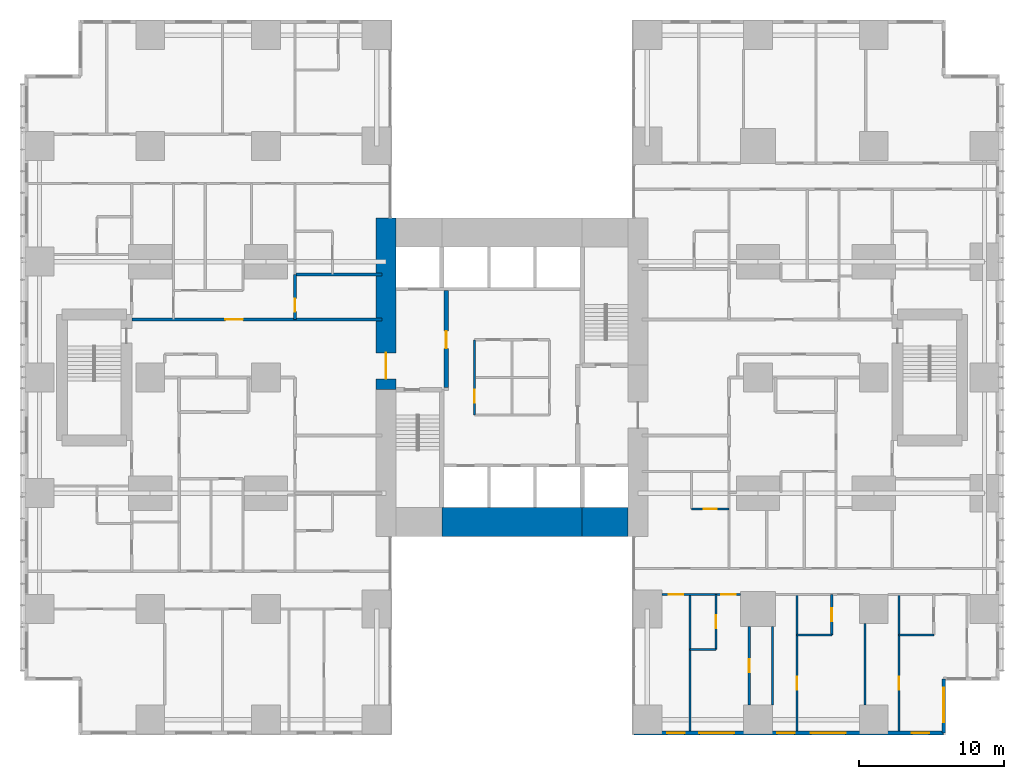
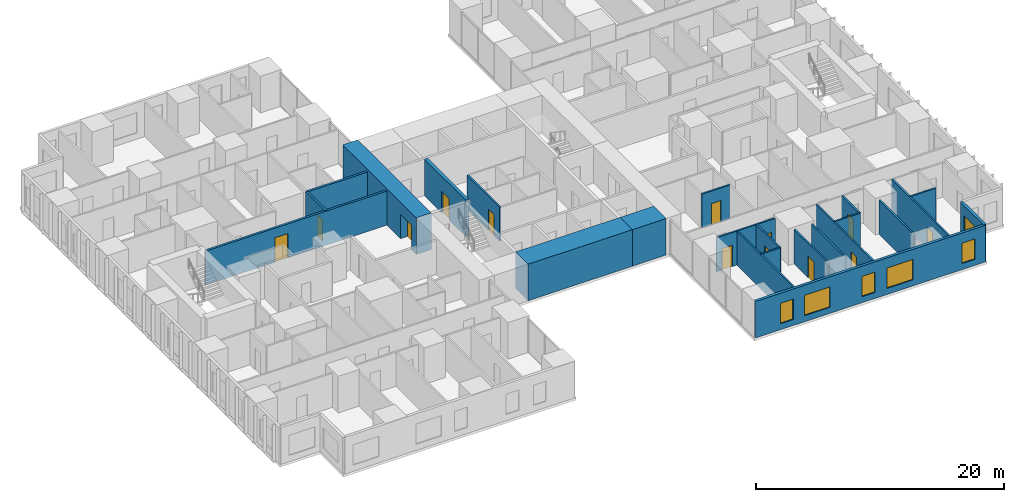
# One storey, part 14 of 20: 23 walls, 13 doors, 6 windows, 19 openings.
"""IFC4 building model written with IfcOpenShell, lengths in metres."""

from ifc_helpers import new_model, si_unit, direction, frame, frame_2d, origin, place, context, subcontext, project, spatial, rectangle, extrude, material, layer, layer_set, type_object, element, fill, save


model = new_model("IFC4")

# Units and contexts
model_context = context("Model", 3, precision=1e-05, world=origin(), true_north=direction((0.0, 1.0)))
body_context = subcontext(model_context, "Body", "Model", "MODEL_VIEW")
ifc_project = project(units=[si_unit("LENGTHUNIT", "METRE"), si_unit("AREAUNIT", "SQUARE_METRE"), si_unit("VOLUMEUNIT", "CUBIC_METRE"), si_unit("PLANEANGLEUNIT", "RADIAN"), si_unit("MASSUNIT", "GRAM", prefix="KILO")], contexts=[model_context])

# Site, building, storey
site_placement = place(None, origin())
site = spatial("IfcSite", under=ifc_project, at=site_placement, CompositionType="ELEMENT")
building_placement = place(site_placement, origin())
building = spatial("IfcBuilding", under=site, at=building_placement, Name="Cleftline Residences", CompositionType="ELEMENT")
storey_placement = place(building_placement, frame((0.0, 0.0, 51.199951171875)))
storey = spatial("IfcBuildingStorey", under=building, at=storey_placement, Name="L12", CompositionType="ELEMENT", Elevation=51.199951171875)

# Wall, opening, door
ifc_material_1 = material(Name="Concrete B70", Category="concrete")
ifc_layer_1 = layer(ifc_material_1, 1.39990234375)
ifc_layer_set_1 = layer_set([ifc_layer_1], Name="CORE WALL 1400")
wall_type_1 = type_object("IfcWallType", Name="CORE WALL 1400", PredefinedType="SHEAR", material=ifc_layer_set_1)
wall_1_placement = place(storey_placement, frame((24.300048828125, 23.14990234375, 0.0), z_axis=(0.0, 0.0, 1.0), x_axis=(0.0, 1.0, 0.0)))
wall_1 = element("IfcWall", 1, at=wall_1_placement, inside=storey, type_object=wall_type_1, Name="Core wall W", PredefinedType="SHEAR", context=body_context, shape_type="SweptSolid", body=[
    extrude(rectangle(XDim=11.85009765625, YDim=1.39990234375, at=frame_2d((5.925048828125, 0.0))), origin(), (0.0, 0.0, 1.0), 3.60009765625),
])
opening_1_placement = place(wall_1_placement, frame((0.75, 0.0, 0.0)))
opening_1 = element("IfcOpeningElement", 2, at=opening_1_placement, cuts=wall_1, Name="Opening D7", PredefinedType="OPENING", context=body_context, shape_type="SweptSolid", body=[
    extrude(rectangle(XDim=1.800048828125, YDim=2.39990234375, at=frame_2d((0.89990234375, 1.199951171875))), frame((0.0, 0.7099609375, 0.0), z_axis=(0.0, -1.0, 0.0), x_axis=(1.0, 0.0, 0.0)), (0.0, 0.0, 1.0), 1.419921875),
])
ifc_material_2 = material(Name="Steel", Category="steel")
door_type_1 = type_object("IfcDoorType", Name="WING DOOR 1800X2400", OperationType="DOUBLE_DOOR_DOUBLE_SWING", PredefinedType="DOOR", material=ifc_material_2)
door_1_placement = place(opening_1_placement, origin())
door_1 = element("IfcDoor", 3, at=door_1_placement, inside=storey, type_object=door_type_1, Name="West wing door", OperationType="DOUBLE_DOOR_DOUBLE_SWING", OverallHeight=2.39990234375, OverallWidth=1.800048828125, PredefinedType="DOOR", context=body_context, shape_type="SweptSolid", body=[
    extrude(rectangle(XDim=1.800048828125, YDim=2.39990234375, at=frame_2d((0.89990234375, 1.199951171875))), frame((0.0, 0.02490234375, 0.0), z_axis=(0.0, -1.0, 0.0), x_axis=(1.0, 0.0, 0.0)), (0.0, 0.0, 1.0), 0.050048828125),
])
fill(opening_1, door_1)

# Walls
ifc_material_3 = material(Name="Concrete B70", Category="concrete")
ifc_layer_2 = layer(ifc_material_3, 2.0)
ifc_layer_set_2 = layer_set([ifc_layer_2], Name="CORE WALL 2000")
wall_type_2 = type_object("IfcWallType", Name="CORE WALL 2000", PredefinedType="SHEAR", material=ifc_layer_set_2)
wall_2_placement = place(storey_placement, frame((28.14990234375, 14.0, 0.0), z_axis=(0.0, 0.0, 1.0), x_axis=(1.0, 0.0, 0.0)))
element("IfcWall", 4, at=wall_2_placement, inside=storey, type_object=wall_type_2, Name="Core wall S2", PredefinedType="SHEAR", context=body_context, shape_type="SweptSolid", body=[
    extrude(rectangle(XDim=9.7001953125, YDim=2.0, at=frame_2d((4.85009765625, 0.0))), origin(), (0.0, 0.0, 1.0), 3.60009765625),
])
wall_3_placement = place(storey_placement, frame((37.85009765625, 14.0, 0.0), z_axis=(0.0, 0.0, 1.0), x_axis=(1.0, 0.0, 0.0)))
element("IfcWall", 5, at=wall_3_placement, inside=storey, type_object=wall_type_2, Name="Core wall S3", PredefinedType="SHEAR", context=body_context, shape_type="SweptSolid", body=[
    extrude(rectangle(XDim=3.14990234375, YDim=2.0, at=frame_2d((1.574951171875, 0.0))), origin(), (0.0, 0.0, 1.0), 3.60009765625),
])

# Wall, openings, windows
ifc_material_4 = material(Name="Rendered reinforced concrete blockwork", Category="masonry")
ifc_layer_3 = layer(ifc_material_4, 0.25)
ifc_layer_set_3 = layer_set([ifc_layer_3], Name="EXTERNAL WALL 250")
wall_type_3 = type_object("IfcWallType", Name="EXTERNAL WALL 250", PredefinedType="SOLIDWALL", material=ifc_layer_set_3)
wall_4_placement = place(storey_placement, frame((41.425048828125, -0.574951171875, 0.0), z_axis=(0.0, 0.0, 1.0), x_axis=(1.0, 0.0, 0.0)))
wall_4 = element("IfcWall", 6, at=wall_4_placement, inside=storey, type_object=wall_type_3, Name="External wall", PredefinedType="SOLIDWALL", context=body_context, shape_type="SweptSolid", body=[
    extrude(rectangle(XDim=21.39990234375, YDim=0.25, at=frame_2d((10.699951171875, 0.0))), origin(), (0.0, 0.0, 1.0), 3.60009765625),
])
opening_2_placement = place(wall_4_placement, frame((2.300048828125, 0.0, 0.60009765625)))
opening_2 = element("IfcOpeningElement", 7, at=opening_2_placement, cuts=wall_4, Name="Opening W8", PredefinedType="OPENING", context=body_context, shape_type="SweptSolid", body=[
    extrude(rectangle(XDim=1.199951171875, YDim=2.0, at=frame_2d((0.60009765625, 1.0))), frame((0.0, 0.135009765625, 0.0), z_axis=(0.0, -1.0, 0.0), x_axis=(1.0, 0.0, 0.0)), (0.0, 0.0, 1.0), 0.27001953125),
])
opening_3_placement = place(wall_4_placement, frame((4.52490234375, 0.0, 0.60009765625)))
opening_3 = element("IfcOpeningElement", 8, at=opening_3_placement, cuts=wall_4, Name="Opening W6", PredefinedType="OPENING", context=body_context, shape_type="SweptSolid", body=[
    extrude(rectangle(XDim=2.39990234375, YDim=2.0, at=frame_2d((1.199951171875, 1.0))), frame((0.0, 0.135009765625, 0.0), z_axis=(0.0, -1.0, 0.0), x_axis=(1.0, 0.0, 0.0)), (0.0, 0.0, 1.0), 0.27001953125),
])
opening_4_placement = place(wall_4_placement, frame((9.89990234375, 0.0, 0.60009765625)))
opening_4 = element("IfcOpeningElement", 9, at=opening_4_placement, cuts=wall_4, Name="Opening W8", PredefinedType="OPENING", context=body_context, shape_type="SweptSolid", body=[
    extrude(rectangle(XDim=1.199951171875, YDim=2.0, at=frame_2d((0.60009765625, 1.0))), frame((0.0, 0.135009765625, 0.0), z_axis=(0.0, -1.0, 0.0), x_axis=(1.0, 0.0, 0.0)), (0.0, 0.0, 1.0), 0.27001953125),
])
opening_5_placement = place(wall_4_placement, frame((12.22509765625, 0.0, 0.60009765625)))
opening_5 = element("IfcOpeningElement", 10, at=opening_5_placement, cuts=wall_4, Name="Opening W6", PredefinedType="OPENING", context=body_context, shape_type="SweptSolid", body=[
    extrude(rectangle(XDim=2.39990234375, YDim=2.0, at=frame_2d((1.199951171875, 1.0))), frame((0.0, 0.135009765625, 0.0), z_axis=(0.0, -1.0, 0.0), x_axis=(1.0, 0.0, 0.0)), (0.0, 0.0, 1.0), 0.27001953125),
])
opening_6_placement = place(wall_4_placement, frame((19.199951171875, 0.0, 0.60009765625)))
opening_6 = element("IfcOpeningElement", 11, at=opening_6_placement, cuts=wall_4, Name="Opening W8", PredefinedType="OPENING", context=body_context, shape_type="SweptSolid", body=[
    extrude(rectangle(XDim=1.199951171875, YDim=2.0, at=frame_2d((0.60009765625, 1.0))), frame((0.0, 0.135009765625, 0.0), z_axis=(0.0, -1.0, 0.0), x_axis=(1.0, 0.0, 0.0)), (0.0, 0.0, 1.0), 0.27001953125),
])
ifc_material_5 = material(Name="Aluminium frame, clear double glazing", Category="aluminium")
window_type_1 = type_object("IfcWindowType", Name="WINDOW 1200X2000", PartitioningType="DOUBLE_PANEL_VERTICAL", PredefinedType="WINDOW", material=ifc_material_5)
window_1_placement = place(opening_2_placement, origin())
window_1 = element("IfcWindow", 12, at=window_1_placement, inside=storey, type_object=window_type_1, Name="Window", OverallHeight=2.0, OverallWidth=1.199951171875, PartitioningType="SINGLE_PANEL", PredefinedType="WINDOW", context=body_context, shape_type="SweptSolid", body=[
    extrude(rectangle(XDim=1.199951171875, YDim=2.0, at=frame_2d((0.60009765625, 1.0))), frame((0.0, 0.030029296875, 0.0), z_axis=(0.0, -1.0, 0.0), x_axis=(1.0, 0.0, 0.0)), (0.0, 0.0, 1.0), 0.06005859375),
])
fill(opening_2, window_1)
window_2_placement = place(opening_4_placement, origin())
window_2 = element("IfcWindow", 13, at=window_2_placement, inside=storey, type_object=window_type_1, Name="Window", OverallHeight=2.0, OverallWidth=1.199951171875, PartitioningType="SINGLE_PANEL", PredefinedType="WINDOW", context=body_context, shape_type="SweptSolid", body=[
    extrude(rectangle(XDim=1.199951171875, YDim=2.0, at=frame_2d((0.60009765625, 1.0))), frame((0.0, 0.030029296875, 0.0), z_axis=(0.0, -1.0, 0.0), x_axis=(1.0, 0.0, 0.0)), (0.0, 0.0, 1.0), 0.06005859375),
])
fill(opening_4, window_2)
window_3_placement = place(opening_6_placement, origin())
window_3 = element("IfcWindow", 14, at=window_3_placement, inside=storey, type_object=window_type_1, Name="Window", OverallHeight=2.0, OverallWidth=1.199951171875, PartitioningType="SINGLE_PANEL", PredefinedType="WINDOW", context=body_context, shape_type="SweptSolid", body=[
    extrude(rectangle(XDim=1.199951171875, YDim=2.0, at=frame_2d((0.60009765625, 1.0))), frame((0.0, 0.030029296875, 0.0), z_axis=(0.0, -1.0, 0.0), x_axis=(1.0, 0.0, 0.0)), (0.0, 0.0, 1.0), 0.06005859375),
])
fill(opening_6, window_3)
ifc_material_6 = material(Name="Aluminium frame, clear double glazing", Category="aluminium")
window_type_2 = type_object("IfcWindowType", Name="WINDOW 2400X2000", PartitioningType="DOUBLE_PANEL_VERTICAL", PredefinedType="WINDOW", material=ifc_material_6)
window_4_placement = place(opening_3_placement, origin())
window_4 = element("IfcWindow", 15, at=window_4_placement, inside=storey, type_object=window_type_2, Name="Window", OverallHeight=2.0, OverallWidth=2.39990234375, PartitioningType="SINGLE_PANEL", PredefinedType="WINDOW", context=body_context, shape_type="SweptSolid", body=[
    extrude(rectangle(XDim=2.39990234375, YDim=2.0, at=frame_2d((1.199951171875, 1.0))), frame((0.0, 0.030029296875, 0.0), z_axis=(0.0, -1.0, 0.0), x_axis=(1.0, 0.0, 0.0)), (0.0, 0.0, 1.0), 0.06005859375),
])
fill(opening_3, window_4)
window_5_placement = place(opening_5_placement, origin())
window_5 = element("IfcWindow", 16, at=window_5_placement, inside=storey, type_object=window_type_2, Name="Window", OverallHeight=2.0, OverallWidth=2.39990234375, PartitioningType="SINGLE_PANEL", PredefinedType="WINDOW", context=body_context, shape_type="SweptSolid", body=[
    extrude(rectangle(XDim=2.39990234375, YDim=2.0, at=frame_2d((1.199951171875, 1.0))), frame((0.0, 0.030029296875, 0.0), z_axis=(0.0, -1.0, 0.0), x_axis=(1.0, 0.0, 0.0)), (0.0, 0.0, 1.0), 0.06005859375),
])
fill(opening_5, window_5)

# Wall, opening, window
wall_5_placement = place(storey_placement, frame((62.824951171875, -0.574951171875, 0.0), z_axis=(0.0, 0.0, 1.0), x_axis=(0.0, 1.0, 0.0)))
wall_5 = element("IfcWall", 17, at=wall_5_placement, inside=storey, type_object=wall_type_3, Name="External wall", PredefinedType="SOLIDWALL", context=body_context, shape_type="SweptSolid", body=[
    extrude(rectangle(XDim=3.75, YDim=0.25, at=frame_2d((1.875, 0.0))), origin(), (0.0, 0.0, 1.0), 3.60009765625),
])
opening_7_placement = place(wall_5_placement, frame((0.737548828125, 0.0, 0.60009765625)))
opening_7 = element("IfcOpeningElement", 18, at=opening_7_placement, cuts=wall_5, Name="Opening W6", PredefinedType="OPENING", context=body_context, shape_type="SweptSolid", body=[
    extrude(rectangle(XDim=2.39990234375, YDim=2.0, at=frame_2d((1.199951171875, 1.0))), frame((0.0, 0.135009765625, 0.0), z_axis=(0.0, -1.0, 0.0), x_axis=(1.0, 0.0, 0.0)), (0.0, 0.0, 1.0), 0.27001953125),
])
window_6_placement = place(opening_7_placement, origin())
window_6 = element("IfcWindow", 19, at=window_6_placement, inside=storey, type_object=window_type_2, Name="Window", OverallHeight=2.0, OverallWidth=2.39990234375, PartitioningType="SINGLE_PANEL", PredefinedType="WINDOW", context=body_context, shape_type="SweptSolid", body=[
    extrude(rectangle(XDim=2.39990234375, YDim=2.0, at=frame_2d((1.199951171875, 1.0))), frame((0.0, 0.030029296875, 0.0), z_axis=(0.0, -1.0, 0.0), x_axis=(1.0, 0.0, 0.0)), (0.0, 0.0, 1.0), 0.06005859375),
])
fill(opening_7, window_6)

# Wall, opening, door
ifc_material_7 = material(Name="Concrete blockwork, fire rated", Category="masonry")
ifc_layer_4 = layer(ifc_material_7, 0.199951171875)
ifc_layer_set_4 = layer_set([ifc_layer_4], Name="FIRE WALL 200")
wall_type_4 = type_object("IfcWallType", Name="FIRE WALL 200", PredefinedType="PARTITIONING", material=ifc_layer_set_4)
wall_6_placement = place(storey_placement, frame((6.72509765625, 28.0, 0.0), z_axis=(0.0, 0.0, 1.0), x_axis=(1.0, 0.0, 0.0)))
wall_6 = element("IfcWall", 20, at=wall_6_placement, inside=storey, type_object=wall_type_4, Name="Fire separating wall", PredefinedType="PARTITIONING", context=body_context, shape_type="SweptSolid", body=[
    extrude(rectangle(XDim=17.27490234375, YDim=0.199951171875, at=frame_2d((8.637451171875, 0.0))), origin(), (0.0, 0.0, 1.0), 3.35009765625),
])
opening_8_placement = place(wall_6_placement, frame((6.47509765625, 0.0, 0.0)))
opening_8 = element("IfcOpeningElement", 21, at=opening_8_placement, cuts=wall_6, Name="Opening D4", PredefinedType="OPENING", context=body_context, shape_type="SweptSolid", body=[
    extrude(rectangle(XDim=1.199951171875, YDim=2.39990234375, at=frame_2d((0.60009765625, 1.199951171875))), frame((0.0, 0.10986328125, 0.0), z_axis=(0.0, -1.0, 0.0), x_axis=(1.0, 0.0, 0.0)), (0.0, 0.0, 1.0), 0.219970703125),
])
ifc_material_8 = material(Name="Timber veneer on solid core", Category="wood")
door_type_2 = type_object("IfcDoorType", Name="APARTMENT ENTRANCE DOOR 1200X2400", OperationType="SINGLE_SWING_RIGHT", PredefinedType="DOOR", material=ifc_material_8)
door_2_placement = place(opening_8_placement, origin())
door_2 = element("IfcDoor", 22, at=door_2_placement, inside=storey, type_object=door_type_2, Name="Door to residence entrance foyer", OperationType="SINGLE_SWING_RIGHT", OverallHeight=2.39990234375, OverallWidth=1.199951171875, PredefinedType="DOOR", context=body_context, shape_type="SweptSolid", body=[
    extrude(rectangle(XDim=1.199951171875, YDim=2.39990234375, at=frame_2d((0.60009765625, 1.199951171875))), frame((0.0, 0.02490234375, 0.0), z_axis=(0.0, -1.0, 0.0), x_axis=(1.0, 0.0, 0.0)), (0.0, 0.0, 1.0), 0.050048828125),
])
fill(opening_8, door_2)

# Wall
wall_7_placement = place(storey_placement, frame((18.0, 31.10009765625, 0.0), z_axis=(0.0, 0.0, 1.0), x_axis=(1.0, 0.0, 0.0)))
element("IfcWall", 23, at=wall_7_placement, inside=storey, type_object=wall_type_4, Name="Fire separating wall", PredefinedType="PARTITIONING", context=body_context, shape_type="SweptSolid", body=[
    extrude(rectangle(XDim=6.0, YDim=0.199951171875, at=frame_2d((3.0, 0.0))), origin(), (0.0, 0.0, 1.0), 3.35009765625),
])

# Wall, opening, door
wall_8_placement = place(storey_placement, frame((18.0, 28.0, 0.0), z_axis=(0.0, 0.0, 1.0), x_axis=(0.0, 1.0, 0.0)))
wall_8 = element("IfcWall", 24, at=wall_8_placement, inside=storey, type_object=wall_type_4, Name="Fire separating wall", PredefinedType="PARTITIONING", context=body_context, shape_type="SweptSolid", body=[
    extrude(rectangle(XDim=3.10009765625, YDim=0.199951171875, at=frame_2d((1.550048828125, 0.0))), origin(), (0.0, 0.0, 1.0), 3.35009765625),
])
opening_9_placement = place(wall_8_placement, frame((0.550048828125, 0.0, 0.0)))
opening_9 = element("IfcOpeningElement", 25, at=opening_9_placement, cuts=wall_8, Name="Opening D1F30", PredefinedType="OPENING", context=body_context, shape_type="SweptSolid", body=[
    extrude(rectangle(XDim=0.89990234375, YDim=2.10009765625, at=frame_2d((0.449951171875, 1.050048828125))), frame((0.0, 0.10986328125, 0.0), z_axis=(0.0, -1.0, 0.0), x_axis=(1.0, 0.0, 0.0)), (0.0, 0.0, 1.0), 0.219970703125),
])
ifc_material_9 = material(Name="Timber veneer on solid core", Category="wood")
door_type_3 = type_object("IfcDoorType", Name="DOOR 900X2100 EI 30", OperationType="SINGLE_SWING_LEFT", PredefinedType="DOOR", material=ifc_material_9)
door_3_placement = place(opening_9_placement, origin())
door_3 = element("IfcDoor", 26, at=door_3_placement, inside=storey, type_object=door_type_3, Name="Door to laundry and wc", OperationType="SINGLE_SWING_RIGHT", OverallHeight=2.10009765625, OverallWidth=0.89990234375, PredefinedType="DOOR", context=body_context, shape_type="SweptSolid", body=[
    extrude(rectangle(XDim=0.89990234375, YDim=2.10009765625, at=frame_2d((0.449951171875, 1.050048828125))), frame((0.0, 0.02490234375, 0.0), z_axis=(0.0, -1.0, 0.0), x_axis=(1.0, 0.0, 0.0)), (0.0, 0.0, 1.0), 0.050048828125),
])
fill(opening_9, door_3)

# Walls
ifc_material_10 = material(Name="Gypsum board on steel studs", Category="steel")
ifc_layer_5 = layer(ifc_material_10, 0.14990234375)
ifc_layer_set_5 = layer_set([ifc_layer_5], Name="PARTITION 150")
wall_type_5 = type_object("IfcWallType", Name="PARTITION 150", PredefinedType="PARTITIONING", material=ifc_layer_set_5)
wall_9_placement = place(storey_placement, frame((45.300048828125, 5.199951171875, 0.0), z_axis=(0.0, 0.0, 1.0), x_axis=(1.0, 0.0, 0.0)))
element("IfcWall", 27, at=wall_9_placement, inside=storey, type_object=wall_type_5, Name="Partition", PredefinedType="PARTITIONING", context=body_context, shape_type="SweptSolid", body=[
    extrude(rectangle(XDim=1.800048828125, YDim=0.14990234375, at=frame_2d((0.89990234375, 0.0))), origin(), (0.0, 0.0, 1.0), 3.35009765625),
])
wall_10_placement = place(storey_placement, frame((52.699951171875, 6.199951171875, 0.0), z_axis=(0.0, 0.0, 1.0), x_axis=(1.0, 0.0, 0.0)))
element("IfcWall", 28, at=wall_10_placement, inside=storey, type_object=wall_type_5, Name="Partition", PredefinedType="PARTITIONING", context=body_context, shape_type="SweptSolid", body=[
    extrude(rectangle(XDim=2.400146484375, YDim=0.14990234375, at=frame_2d((1.2001953125, 0.0))), origin(), (0.0, 0.0, 1.0), 3.35009765625),
])
wall_11_placement = place(storey_placement, frame((59.75, 6.199951171875, 0.0), z_axis=(0.0, 0.0, 1.0), x_axis=(1.0, 0.0, 0.0)))
element("IfcWall", 29, at=wall_11_placement, inside=storey, type_object=wall_type_5, Name="Partition", PredefinedType="PARTITIONING", context=body_context, shape_type="SweptSolid", body=[
    extrude(rectangle(XDim=2.39990234375, YDim=0.14990234375, at=frame_2d((1.199951171875, 0.0))), origin(), (0.0, 0.0, 1.0), 3.35009765625),
])

# Wall, openings, doors
wall_12_placement = place(storey_placement, frame((43.35009765625, 9.0, 0.0), z_axis=(0.0, 0.0, 1.0), x_axis=(1.0, 0.0, 0.0)))
wall_12 = element("IfcWall", 30, at=wall_12_placement, inside=storey, type_object=wall_type_5, Name="Partition", PredefinedType="PARTITIONING", context=body_context, shape_type="SweptSolid", body=[
    extrude(rectangle(XDim=5.449951171875, YDim=0.14990234375, at=frame_2d((2.72509765625, 0.0))), origin(), (0.0, 0.0, 1.0), 3.35009765625),
])
opening_10_placement = place(wall_12_placement, frame((4.10009765625, 0.0, 0.0)))
opening_10 = element("IfcOpeningElement", 31, at=opening_10_placement, cuts=wall_12, Name="Opening D2", PredefinedType="OPENING", context=body_context, shape_type="SweptSolid", body=[
    extrude(rectangle(XDim=1.0, YDim=2.10009765625, at=frame_2d((0.5, 1.050048828125))), frame((0.0, 0.0849609375, 0.0), z_axis=(0.0, -1.0, 0.0), x_axis=(1.0, 0.0, 0.0)), (0.0, 0.0, 1.0), 0.169921875),
])
opening_11_placement = place(wall_12_placement, frame((0.47509765625, 0.0, 0.0)))
opening_11 = element("IfcOpeningElement", 32, at=opening_11_placement, cuts=wall_12, Name="Opening D2", PredefinedType="OPENING", context=body_context, shape_type="SweptSolid", body=[
    extrude(rectangle(XDim=1.0, YDim=2.10009765625, at=frame_2d((0.5, 1.050048828125))), frame((0.0, 0.0849609375, 0.0), z_axis=(0.0, -1.0, 0.0), x_axis=(1.0, 0.0, 0.0)), (0.0, 0.0, 1.0), 0.169921875),
])
ifc_material_11 = material(Name="Timber veneer on solid core", Category="wood")
door_type_4 = type_object("IfcDoorType", Name="DOOR 1000X2100", OperationType="SINGLE_SWING_LEFT", PredefinedType="DOOR", material=ifc_material_11)
door_4_placement = place(opening_10_placement, origin())
door_4 = element("IfcDoor", 33, at=door_4_placement, inside=storey, type_object=door_type_4, Name="Door to bedroom 4", OperationType="SINGLE_SWING_LEFT", OverallHeight=2.10009765625, OverallWidth=1.0, PredefinedType="DOOR", context=body_context, shape_type="SweptSolid", body=[
    extrude(rectangle(XDim=1.0, YDim=2.10009765625, at=frame_2d((0.5, 1.050048828125))), frame((0.0, 0.02490234375, 0.0), z_axis=(0.0, -1.0, 0.0), x_axis=(1.0, 0.0, 0.0)), (0.0, 0.0, 1.0), 0.050048828125),
])
fill(opening_10, door_4)
door_5_placement = place(opening_11_placement, origin())
door_5 = element("IfcDoor", 34, at=door_5_placement, inside=storey, type_object=door_type_4, Name="Door to family room", OperationType="SINGLE_SWING_RIGHT", OverallHeight=2.10009765625, OverallWidth=1.0, PredefinedType="DOOR", context=body_context, shape_type="SweptSolid", body=[
    extrude(rectangle(XDim=1.0, YDim=2.10009765625, at=frame_2d((0.5, 1.050048828125))), frame((0.0, 0.02490234375, 0.0), z_axis=(0.0, -1.0, 0.0), x_axis=(1.0, 0.0, 0.0)), (0.0, 0.0, 1.0), 0.050048828125),
])
fill(opening_11, door_5)

# Wall, opening, door
wall_13_placement = place(storey_placement, frame((45.39990234375, 14.89990234375, 0.0), z_axis=(0.0, 0.0, 1.0), x_axis=(1.0, 0.0, 0.0)))
wall_13 = element("IfcWall", 35, at=wall_13_placement, inside=storey, type_object=wall_type_5, Name="Partition", PredefinedType="PARTITIONING", context=body_context, shape_type="SweptSolid", body=[
    extrude(rectangle(XDim=2.60009765625, YDim=0.14990234375, at=frame_2d((1.300048828125, 0.0))), origin(), (0.0, 0.0, 1.0), 3.35009765625),
])
opening_12_placement = place(wall_13_placement, frame((0.85009765625, 0.0, 0.0)))
opening_12 = element("IfcOpeningElement", 36, at=opening_12_placement, cuts=wall_13, Name="Opening D1", PredefinedType="OPENING", context=body_context, shape_type="SweptSolid", body=[
    extrude(rectangle(XDim=0.89990234375, YDim=2.10009765625, at=frame_2d((0.449951171875, 1.050048828125))), frame((0.0, 0.0849609375, 0.0), z_axis=(0.0, -1.0, 0.0), x_axis=(1.0, 0.0, 0.0)), (0.0, 0.0, 1.0), 0.169921875),
])
ifc_material_12 = material(Name="Timber veneer on solid core", Category="wood")
door_type_5 = type_object("IfcDoorType", Name="DOOR 900X2100", OperationType="SINGLE_SWING_LEFT", PredefinedType="DOOR", material=ifc_material_12)
door_6_placement = place(opening_12_placement, origin())
door_6 = element("IfcDoor", 37, at=door_6_placement, inside=storey, type_object=door_type_5, Name="Door to master bathroom", OperationType="SINGLE_SWING_LEFT", OverallHeight=2.10009765625, OverallWidth=0.89990234375, PredefinedType="DOOR", context=body_context, shape_type="SweptSolid", body=[
    extrude(rectangle(XDim=0.89990234375, YDim=2.10009765625, at=frame_2d((0.449951171875, 1.050048828125))), frame((0.0, 0.02490234375, 0.0), z_axis=(0.0, -1.0, 0.0), x_axis=(1.0, 0.0, 0.0)), (0.0, 0.0, 1.0), 0.050048828125),
])
fill(opening_12, door_6)

# Wall
wall_14_placement = place(storey_placement, frame((45.300048828125, -0.449951171875, 0.0), z_axis=(0.0, 0.0, 1.0), x_axis=(0.0, 1.0, 0.0)))
element("IfcWall", 38, at=wall_14_placement, inside=storey, type_object=wall_type_5, Name="Partition", PredefinedType="PARTITIONING", context=body_context, shape_type="SweptSolid", body=[
    extrude(rectangle(XDim=9.449951171875, YDim=0.14990234375, at=frame_2d((4.72509765625, 0.0))), origin(), (0.0, 0.0, 1.0), 3.35009765625),
])

# Wall, opening, door
wall_15_placement = place(storey_placement, frame((47.10009765625, 5.199951171875, 0.0), z_axis=(0.0, 0.0, 1.0), x_axis=(0.0, 1.0, 0.0)))
wall_15 = element("IfcWall", 39, at=wall_15_placement, inside=storey, type_object=wall_type_5, Name="Partition", PredefinedType="PARTITIONING", context=body_context, shape_type="SweptSolid", body=[
    extrude(rectangle(XDim=3.800048828125, YDim=0.14990234375, at=frame_2d((1.89990234375, 0.0))), origin(), (0.0, 0.0, 1.0), 3.35009765625),
])
opening_13_placement = place(wall_15_placement, frame((1.449951171875, 0.0, 0.0)))
opening_13 = element("IfcOpeningElement", 40, at=opening_13_placement, cuts=wall_15, Name="Opening D1", PredefinedType="OPENING", context=body_context, shape_type="SweptSolid", body=[
    extrude(rectangle(XDim=0.89990234375, YDim=2.10009765625, at=frame_2d((0.449951171875, 1.050048828125))), frame((0.0, 0.0849609375, 0.0), z_axis=(0.0, -1.0, 0.0), x_axis=(1.0, 0.0, 0.0)), (0.0, 0.0, 1.0), 0.169921875),
])
door_7_placement = place(opening_13_placement, origin())
door_7 = element("IfcDoor", 41, at=door_7_placement, inside=storey, type_object=door_type_5, Name="Door to en-suite bathroom 4", OperationType="SINGLE_SWING_LEFT", OverallHeight=2.10009765625, OverallWidth=0.89990234375, PredefinedType="DOOR", context=body_context, shape_type="SweptSolid", body=[
    extrude(rectangle(XDim=0.89990234375, YDim=2.10009765625, at=frame_2d((0.449951171875, 1.050048828125))), frame((0.0, 0.02490234375, 0.0), z_axis=(0.0, -1.0, 0.0), x_axis=(1.0, 0.0, 0.0)), (0.0, 0.0, 1.0), 0.050048828125),
])
fill(opening_13, door_7)

wall_16_placement = place(storey_placement, frame((49.39990234375, 1.35009765625, 0.0), z_axis=(0.0, 0.0, 1.0), x_axis=(0.0, 1.0, 0.0)))
wall_16 = element("IfcWall", 42, at=wall_16_placement, inside=storey, type_object=wall_type_5, Name="Partition", PredefinedType="PARTITIONING", context=body_context, shape_type="SweptSolid", body=[
    extrude(rectangle(XDim=5.449951171875, YDim=0.14990234375, at=frame_2d((2.72509765625, 0.0))), origin(), (0.0, 0.0, 1.0), 3.35009765625),
])
opening_14_placement = place(wall_16_placement, frame((2.27490234375, 0.0, 0.0)))
opening_14 = element("IfcOpeningElement", 43, at=opening_14_placement, cuts=wall_16, Name="Opening D1", PredefinedType="OPENING", context=body_context, shape_type="SweptSolid", body=[
    extrude(rectangle(XDim=0.89990234375, YDim=2.10009765625, at=frame_2d((0.449951171875, 1.050048828125))), frame((0.0, 0.0849609375, 0.0), z_axis=(0.0, -1.0, 0.0), x_axis=(1.0, 0.0, 0.0)), (0.0, 0.0, 1.0), 0.169921875),
])
door_8_placement = place(opening_14_placement, origin())
door_8 = element("IfcDoor", 44, at=door_8_placement, inside=storey, type_object=door_type_5, Name="Door to walk-in wardrobe", OperationType="SINGLE_SWING_LEFT", OverallHeight=2.10009765625, OverallWidth=0.89990234375, PredefinedType="DOOR", context=body_context, shape_type="SweptSolid", body=[
    extrude(rectangle(XDim=0.89990234375, YDim=2.10009765625, at=frame_2d((0.449951171875, 1.050048828125))), frame((0.0, 0.02490234375, 0.0), z_axis=(0.0, -1.0, 0.0), x_axis=(1.0, 0.0, 0.0)), (0.0, 0.0, 1.0), 0.050048828125),
])
fill(opening_14, door_8)

# Wall
wall_17_placement = place(storey_placement, frame((51.0, 1.35009765625, 0.0), z_axis=(0.0, 0.0, 1.0), x_axis=(0.0, 1.0, 0.0)))
element("IfcWall", 45, at=wall_17_placement, inside=storey, type_object=wall_type_5, Name="Partition", PredefinedType="PARTITIONING", context=body_context, shape_type="SweptSolid", body=[
    extrude(rectangle(XDim=5.449951171875, YDim=0.14990234375, at=frame_2d((2.72509765625, 0.0))), origin(), (0.0, 0.0, 1.0), 3.35009765625),
])

# Wall, opening, door
wall_18_placement = place(storey_placement, frame((52.699951171875, -0.449951171875, 0.0), z_axis=(0.0, 0.0, 1.0), x_axis=(0.0, 1.0, 0.0)))
wall_18 = element("IfcWall", 46, at=wall_18_placement, inside=storey, type_object=wall_type_5, Name="Partition", PredefinedType="PARTITIONING", context=body_context, shape_type="SweptSolid", body=[
    extrude(rectangle(XDim=9.449951171875, YDim=0.14990234375, at=frame_2d((4.72509765625, 0.0))), origin(), (0.0, 0.0, 1.0), 3.35009765625),
])
opening_15_placement = place(wall_18_placement, frame((2.875, 0.0, 0.0)))
opening_15 = element("IfcOpeningElement", 47, at=opening_15_placement, cuts=wall_18, Name="Opening D1", PredefinedType="OPENING", context=body_context, shape_type="SweptSolid", body=[
    extrude(rectangle(XDim=0.89990234375, YDim=2.10009765625, at=frame_2d((0.449951171875, 1.050048828125))), frame((0.0, 0.0849609375, 0.0), z_axis=(0.0, -1.0, 0.0), x_axis=(1.0, 0.0, 0.0)), (0.0, 0.0, 1.0), 0.169921875),
])
door_9_placement = place(opening_15_placement, origin())
door_9 = element("IfcDoor", 48, at=door_9_placement, inside=storey, type_object=door_type_5, Name="Door to walk-in wardrobe", OperationType="SINGLE_SWING_RIGHT", OverallHeight=2.10009765625, OverallWidth=0.89990234375, PredefinedType="DOOR", context=body_context, shape_type="SweptSolid", body=[
    extrude(rectangle(XDim=0.89990234375, YDim=2.10009765625, at=frame_2d((0.449951171875, 1.050048828125))), frame((0.0, 0.02490234375, 0.0), z_axis=(0.0, -1.0, 0.0), x_axis=(1.0, 0.0, 0.0)), (0.0, 0.0, 1.0), 0.050048828125),
])
fill(opening_15, door_9)

wall_19_placement = place(storey_placement, frame((55.10009765625, 6.199951171875, 0.0), z_axis=(0.0, 0.0, 1.0), x_axis=(0.0, 1.0, 0.0)))
wall_19 = element("IfcWall", 49, at=wall_19_placement, inside=storey, type_object=wall_type_5, Name="Partition", PredefinedType="PARTITIONING", context=body_context, shape_type="SweptSolid", body=[
    extrude(rectangle(XDim=2.800048828125, YDim=0.14990234375, at=frame_2d((1.39990234375, 0.0))), origin(), (0.0, 0.0, 1.0), 3.35009765625),
])
opening_16_placement = place(wall_19_placement, frame((0.949951171875, 0.0, 0.0)))
opening_16 = element("IfcOpeningElement", 50, at=opening_16_placement, cuts=wall_19, Name="Opening D1", PredefinedType="OPENING", context=body_context, shape_type="SweptSolid", body=[
    extrude(rectangle(XDim=0.89990234375, YDim=2.10009765625, at=frame_2d((0.449951171875, 1.050048828125))), frame((0.0, 0.0849609375, 0.0), z_axis=(0.0, -1.0, 0.0), x_axis=(1.0, 0.0, 0.0)), (0.0, 0.0, 1.0), 0.169921875),
])
door_10_placement = place(opening_16_placement, origin())
door_10 = element("IfcDoor", 51, at=door_10_placement, inside=storey, type_object=door_type_5, Name="Door to en-suite bathroom 3", OperationType="SINGLE_SWING_LEFT", OverallHeight=2.10009765625, OverallWidth=0.89990234375, PredefinedType="DOOR", context=body_context, shape_type="SweptSolid", body=[
    extrude(rectangle(XDim=0.89990234375, YDim=2.10009765625, at=frame_2d((0.449951171875, 1.050048828125))), frame((0.0, 0.02490234375, 0.0), z_axis=(0.0, -1.0, 0.0), x_axis=(1.0, 0.0, 0.0)), (0.0, 0.0, 1.0), 0.050048828125),
])
fill(opening_16, door_10)

# Wall
wall_20_placement = place(storey_placement, frame((57.39990234375, 1.35009765625, 0.0), z_axis=(0.0, 0.0, 1.0), x_axis=(0.0, 1.0, 0.0)))
element("IfcWall", 52, at=wall_20_placement, inside=storey, type_object=wall_type_5, Name="Partition", PredefinedType="PARTITIONING", context=body_context, shape_type="SweptSolid", body=[
    extrude(rectangle(XDim=5.64990234375, YDim=0.14990234375, at=frame_2d((2.824951171875, 0.0))), origin(), (0.0, 0.0, 1.0), 3.35009765625),
])

# Wall, opening, door
wall_21_placement = place(storey_placement, frame((59.75, -0.449951171875, 0.0), z_axis=(0.0, 0.0, 1.0), x_axis=(0.0, 1.0, 0.0)))
wall_21 = element("IfcWall", 53, at=wall_21_placement, inside=storey, type_object=wall_type_5, Name="Partition", PredefinedType="PARTITIONING", context=body_context, shape_type="SweptSolid", body=[
    extrude(rectangle(XDim=9.449951171875, YDim=0.14990234375, at=frame_2d((4.72509765625, 0.0))), origin(), (0.0, 0.0, 1.0), 3.35009765625),
])
opening_17_placement = place(wall_21_placement, frame((2.875, 0.0, 0.0)))
opening_17 = element("IfcOpeningElement", 54, at=opening_17_placement, cuts=wall_21, Name="Opening D1", PredefinedType="OPENING", context=body_context, shape_type="SweptSolid", body=[
    extrude(rectangle(XDim=0.89990234375, YDim=2.10009765625, at=frame_2d((0.449951171875, 1.050048828125))), frame((0.0, 0.0849609375, 0.0), z_axis=(0.0, -1.0, 0.0), x_axis=(1.0, 0.0, 0.0)), (0.0, 0.0, 1.0), 0.169921875),
])
door_11_placement = place(opening_17_placement, origin())
door_11 = element("IfcDoor", 55, at=door_11_placement, inside=storey, type_object=door_type_5, Name="Door to walk-in wardrobe", OperationType="SINGLE_SWING_RIGHT", OverallHeight=2.10009765625, OverallWidth=0.89990234375, PredefinedType="DOOR", context=body_context, shape_type="SweptSolid", body=[
    extrude(rectangle(XDim=0.89990234375, YDim=2.10009765625, at=frame_2d((0.449951171875, 1.050048828125))), frame((0.0, 0.02490234375, 0.0), z_axis=(0.0, -1.0, 0.0), x_axis=(1.0, 0.0, 0.0)), (0.0, 0.0, 1.0), 0.050048828125),
])
fill(opening_17, door_11)

ifc_material_13 = material(Name="Fire-resisting gypsum board on steel studs", Category="steel")
ifc_layer_6 = layer(ifc_material_13, 0.14990234375)
ifc_layer_set_6 = layer_set([ifc_layer_6], Name="PARTITION 150 EI 60")
wall_type_6 = type_object("IfcWallType", Name="PARTITION 150 EI 60", PredefinedType="PARTITIONING", material=ifc_layer_set_6)
wall_22_placement = place(storey_placement, frame((30.39990234375, 21.39990234375, 0.0), z_axis=(0.0, 0.0, 1.0), x_axis=(0.0, 1.0, 0.0)))
wall_22 = element("IfcWall", 56, at=wall_22_placement, inside=storey, type_object=wall_type_6, Name="Core room partition", PredefinedType="PARTITIONING", context=body_context, shape_type="SweptSolid", body=[
    extrude(rectangle(XDim=5.2001953125, YDim=0.14990234375, at=frame_2d((2.60009765625, 0.0))), origin(), (0.0, 0.0, 1.0), 3.35009765625),
])
opening_18_placement = place(wall_22_placement, frame((0.85009765625, 0.0, 0.0)))
opening_18 = element("IfcOpeningElement", 57, at=opening_18_placement, cuts=wall_22, Name="Opening D1F30", PredefinedType="OPENING", context=body_context, shape_type="SweptSolid", body=[
    extrude(rectangle(XDim=0.89990234375, YDim=2.10009765625, at=frame_2d((0.449951171875, 1.050048828125))), frame((0.0, 0.0849609375, 0.0), z_axis=(0.0, -1.0, 0.0), x_axis=(1.0, 0.0, 0.0)), (0.0, 0.0, 1.0), 0.169921875),
])
door_12_placement = place(opening_18_placement, origin())
door_12 = element("IfcDoor", 58, at=door_12_placement, inside=storey, type_object=door_type_3, Name="Door to housekeeping pantry", OperationType="SINGLE_SWING_RIGHT", OverallHeight=2.10009765625, OverallWidth=0.89990234375, PredefinedType="DOOR", context=body_context, shape_type="SweptSolid", body=[
    extrude(rectangle(XDim=0.89990234375, YDim=2.10009765625, at=frame_2d((0.449951171875, 1.050048828125))), frame((0.0, 0.02490234375, 0.0), z_axis=(0.0, -1.0, 0.0), x_axis=(1.0, 0.0, 0.0)), (0.0, 0.0, 1.0), 0.050048828125),
])
fill(opening_18, door_12)

ifc_material_14 = material(Name="Concrete blockwork, fire rated", Category="masonry")
ifc_layer_7 = layer(ifc_material_14, 0.300048828125)
ifc_layer_set_7 = layer_set([ifc_layer_7], Name="STAIR LOBBY WALL 300")
wall_type_7 = type_object("IfcWallType", Name="STAIR LOBBY WALL 300", PredefinedType="PARTITIONING", material=ifc_layer_set_7)
wall_23_placement = place(storey_placement, frame((28.449951171875, 23.300048828125, 0.0), z_axis=(0.0, 0.0, 1.0), x_axis=(0.0, 1.0, 0.0)))
wall_23 = element("IfcWall", 59, at=wall_23_placement, inside=storey, type_object=wall_type_7, Name="Stair and lobby wall FA-E", PredefinedType="PARTITIONING", context=body_context, shape_type="SweptSolid", body=[
    extrude(rectangle(XDim=6.699951171875, YDim=0.300048828125, at=frame_2d((3.35009765625, 0.0))), origin(), (0.0, 0.0, 1.0), 3.60009765625),
])
opening_19_placement = place(wall_23_placement, frame((2.699951171875, 0.0, 0.0)))
opening_19 = element("IfcOpeningElement", 60, at=opening_19_placement, cuts=wall_23, Name="Opening D6", PredefinedType="OPENING", context=body_context, shape_type="SweptSolid", body=[
    extrude(rectangle(XDim=1.199951171875, YDim=2.10009765625, at=frame_2d((0.60009765625, 1.050048828125))), frame((0.0, 0.159912109375, 0.0), z_axis=(0.0, -1.0, 0.0), x_axis=(1.0, 0.0, 0.0)), (0.0, 0.0, 1.0), 0.320068359375),
])
ifc_material_15 = material(Name="Steel", Category="steel")
door_type_6 = type_object("IfcDoorType", Name="LOBBY DOOR 1200X2100", OperationType="SINGLE_SWING_RIGHT", PredefinedType="DOOR", material=ifc_material_15)
door_13_placement = place(opening_19_placement, origin())
door_13 = element("IfcDoor", 61, at=door_13_placement, inside=storey, type_object=door_type_6, Name="Firefighting lobby A door", OperationType="SINGLE_SWING_RIGHT", OverallHeight=2.10009765625, OverallWidth=1.199951171875, PredefinedType="DOOR", context=body_context, shape_type="SweptSolid", body=[
    extrude(rectangle(XDim=1.199951171875, YDim=2.10009765625, at=frame_2d((0.60009765625, 1.050048828125))), frame((0.0, 0.02490234375, 0.0), z_axis=(0.0, -1.0, 0.0), x_axis=(1.0, 0.0, 0.0)), (0.0, 0.0, 1.0), 0.050048828125),
])
fill(opening_19, door_13)

save(model, "model.ifc")
